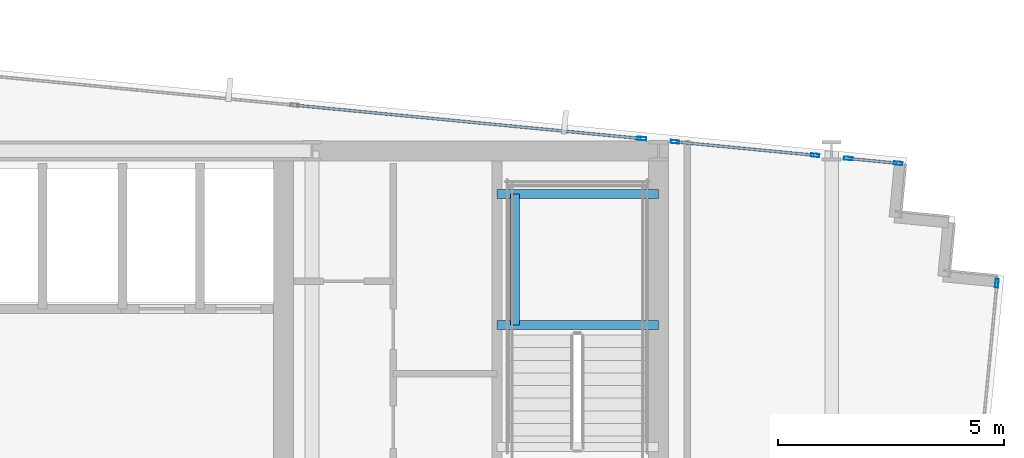
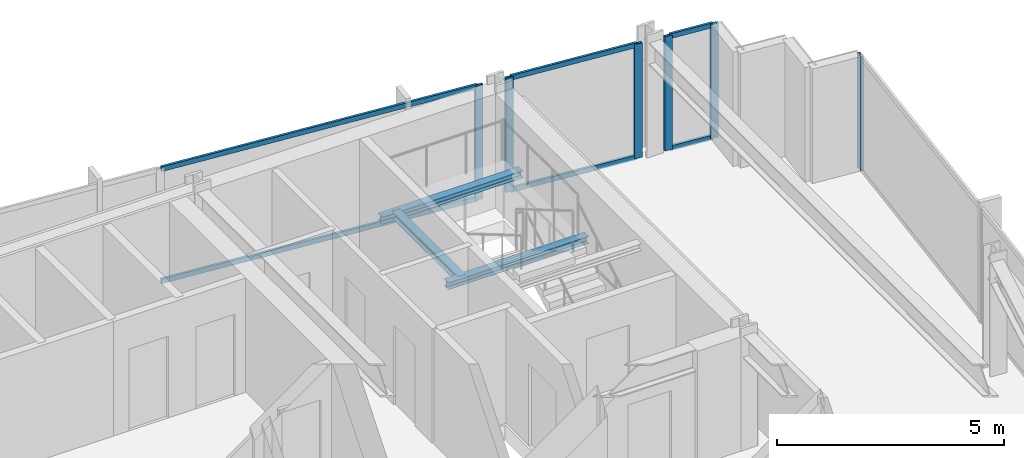
# One storey, part 27 of 37: 12 members, 3 beams, 4 elements without a shape of their own.
"""IFC4 building model written with IfcOpenShell, lengths in metres."""

from ifc_helpers import new_model, si_unit, direction, frame, origin, origin_2d, place, context, subcontext, project, spatial, hollow_rectangle, i_section, extrude, material, material_profile, profile_set, type_object, element, aggregate, save


model = new_model("IFC4")

# Units and contexts
model_context = context("Model", 3, precision=1e-05, world=origin(), true_north=direction((0.0, 1.0)))
body_context = subcontext(model_context, "Body", "Model", "MODEL_VIEW")
ifc_project = project(units=[si_unit("LENGTHUNIT", "METRE"), si_unit("AREAUNIT", "SQUARE_METRE"), si_unit("VOLUMEUNIT", "CUBIC_METRE"), si_unit("PLANEANGLEUNIT", "RADIAN"), si_unit("MASSUNIT", "GRAM", prefix="KILO")], contexts=[model_context])

# Site, building, storey
site_placement = place(None, origin())
site = spatial("IfcSite", under=ifc_project, at=site_placement, CompositionType="ELEMENT")
building_placement = place(site_placement, origin())
building = spatial("IfcBuilding", under=site, at=building_placement, Name="Yelkora Congress Tower", CompositionType="ELEMENT")
storey_placement = place(building_placement, frame((0.0, 0.0, 149.0)))
storey = spatial("IfcBuildingStorey", under=building, at=storey_placement, Name="L40", CompositionType="ELEMENT", Elevation=149.0)

# Beams
ifc_material_1 = material(Name="Steel S355J2", Category="steel")
ifc_material_profile_1 = material_profile(ifc_material_1, i_section(OverallWidth=0.199951171875, OverallDepth=0.18994140625, WebThickness=0.006591796875, FlangeThickness=0.010009765625, FilletRadius=0.01806640625, at=origin_2d()), Name="HEA 200")
ifc_profile_set_1 = profile_set([ifc_material_profile_1], Name="Steel S355J2")
beam_type = type_object("IfcBeamType", Name="BM-LAND-HEA200", PredefinedType="BEAM", material=ifc_profile_set_1)
for number, where, z_axis, x_axis, name in (
    (1, (50.179931640625, 42.340087890625, 1.334716796875), (1.0, 0.0, 0.0), (0.0, 1.0, 0.0), "ST-02 L40 Landing Header Beam 1S"),
    (2, (50.179931640625, 45.25, 1.334716796875), (1.0, 0.0, 0.0), (0.0, 1.0, 0.0), "ST-02 L40 Landing Header Beam 1N"),
):
    element("IfcBeam", number, at=place(storey_placement, frame(where, z_axis=z_axis, x_axis=x_axis)), inside=storey, type_object=beam_type, Name=name, PredefinedType="BEAM", context=body_context, shape_type="SweptSolid", body=[
        extrude(i_section(OverallWidth=0.199951171875, OverallDepth=0.18994140625, WebThickness=0.006591796875, FlangeThickness=0.010009765625, FilletRadius=0.01806640625, at=origin_2d()), origin(), (0.0, 0.0, 1.0), 3.580078125),
    ])
beam_placement = place(storey_placement, frame((50.580078125, 42.340087890625, 1.334716796875), z_axis=(0.0, 1.0, 0.0), x_axis=(-1.0, 0.0, 0.0)))
element("IfcBeam", 3, at=beam_placement, inside=storey, type_object=beam_type, Name="ST-02 L40 Landing Trimmer Beam 1M", PredefinedType="BEAM", context=body_context, shape_type="SweptSolid", body=[
    extrude(i_section(OverallWidth=0.199951171875, OverallDepth=0.18994140625, WebThickness=0.006591796875, FlangeThickness=0.010009765625, FilletRadius=0.01806640625, at=origin_2d()), origin(), (0.0, 0.0, 1.0), 2.909912109375),
])

# Curtain wall, member
ifc_material_2 = material(Name="Anodised aluminium and insulated glass", Category="aluminium")
curtain_wall_type = type_object("IfcCurtainWallType", Name="CW-SYS-B3", PredefinedType="NOTDEFINED", material=ifc_material_2)
curtain_wall_1_placement = place(storey_placement, origin())
curtain_wall_1 = element("IfcCurtainWall", 4, at=curtain_wall_1_placement, inside=storey, type_object=curtain_wall_type, Name="L40 Unitised Curtain Wall 10 (1)", PredefinedType="NOTDEFINED")
ifc_material_3 = material(Name="Anodised aluminium 6063-T6", Category="aluminium")
ifc_material_profile_2 = material_profile(ifc_material_3, hollow_rectangle(XDim=0.070068359375, YDim=0.18994140625, WallThickness=0.00390625, at=origin_2d()), Name="ALU 70x190x4")
ifc_profile_set_2 = profile_set([ifc_material_profile_2], Name="Anodised aluminium 6063-T6")
member_type_1 = type_object("IfcMemberType", Name="MEM-ML-B3", PredefinedType="MULLION", material=ifc_profile_set_2)
member_1_placement = place(storey_placement, frame((53.39306640625, 46.473388671875, 0.0), z_axis=(0.0, 0.0, 1.0), x_axis=(0.095844524462, 0.995396316615, 0.0)))
member_1 = element("IfcMember", 5, at=member_1_placement, type_object=member_type_1, Name="CW-B3 mullion 7", PredefinedType="MULLION", context=body_context, shape_type="SweptSolid", body=[
    extrude(hollow_rectangle(XDim=0.070068359375, YDim=0.18994140625, WallThickness=0.00390625, at=origin_2d()), origin(), (0.0, 0.0, 1.0), 3.080078125),
])

# Curtain wall, members
curtain_wall_2_placement = place(storey_placement, origin())
curtain_wall_2 = element("IfcCurtainWall", 6, at=curtain_wall_2_placement, inside=storey, type_object=curtain_wall_type, Name="L40 Unitised Curtain Wall 10 (2)", PredefinedType="NOTDEFINED")
member_2_placement = place(storey_placement, frame((54.126953125, 46.402587890625, 0.0), z_axis=(0.0, 0.0, 1.0), x_axis=(0.095841399764, 0.99539661748, 0.0)))
member_2 = element("IfcMember", 7, at=member_2_placement, type_object=member_type_1, Name="CW-B3 mullion 1", PredefinedType="MULLION", context=body_context, shape_type="SweptSolid", body=[
    extrude(hollow_rectangle(XDim=0.070068359375, YDim=0.18994140625, WallThickness=0.00390625, at=origin_2d()), origin(), (0.0, 0.0, 1.0), 3.080078125),
])
member_3_placement = place(storey_placement, frame((57.233154296875, 46.103515625, 0.0), z_axis=(0.0, 0.0, 1.0), x_axis=(0.095841399764, 0.99539661748, 0.0)))
member_3 = element("IfcMember", 8, at=member_3_placement, type_object=member_type_1, Name="CW-B3 mullion 2", PredefinedType="MULLION", context=body_context, shape_type="SweptSolid", body=[
    extrude(hollow_rectangle(XDim=0.070068359375, YDim=0.18994140625, WallThickness=0.00390625, at=origin_2d()), origin(), (0.0, 0.0, 1.0), 3.080078125),
])

curtain_wall_3_placement = place(storey_placement, origin())
curtain_wall_3 = element("IfcCurtainWall", 9, at=curtain_wall_3_placement, inside=storey, type_object=curtain_wall_type, Name="L40 Unitised Curtain Wall 10 (3)", PredefinedType="NOTDEFINED")
member_4_placement = place(storey_placement, frame((57.966796875, 46.032958984375, 0.0), z_axis=(0.0, 0.0, 1.0), x_axis=(0.095842967325, 0.995396466547, 0.0)))
member_4 = element("IfcMember", 10, at=member_4_placement, type_object=member_type_1, Name="CW-B3 mullion 1", PredefinedType="MULLION", context=body_context, shape_type="SweptSolid", body=[
    extrude(hollow_rectangle(XDim=0.070068359375, YDim=0.18994140625, WallThickness=0.00390625, at=origin_2d()), origin(), (0.0, 0.0, 1.0), 3.080078125),
])
member_5_placement = place(storey_placement, frame((59.073974609375, 45.92626953125, 0.0), z_axis=(0.0, 0.0, 1.0), x_axis=(0.095842967325, 0.995396466547, 0.0)))
member_5 = element("IfcMember", 11, at=member_5_placement, type_object=member_type_1, Name="CW-B3 mullion 2", PredefinedType="MULLION", context=body_context, shape_type="SweptSolid", body=[
    extrude(hollow_rectangle(XDim=0.070068359375, YDim=0.18994140625, WallThickness=0.00390625, at=origin_2d()), origin(), (0.0, 0.0, 1.0), 3.080078125),
])

# Curtain wall, member
curtain_wall_4_placement = place(storey_placement, origin())
curtain_wall_4 = element("IfcCurtainWall", 12, at=curtain_wall_4_placement, inside=storey, type_object=curtain_wall_type, Name="L40 Unitised Curtain Wall 15", PredefinedType="NOTDEFINED")
member_6_placement = place(storey_placement, frame((61.26416015625, 43.26904296875, 0.0), z_axis=(0.0, 0.0, 1.0), x_axis=(0.995396565076, -0.095841944023, 0.0)))
member_6 = element("IfcMember", 13, at=member_6_placement, type_object=member_type_1, Name="CW-B3 mullion 1", PredefinedType="MULLION", context=body_context, shape_type="SweptSolid", body=[
    extrude(hollow_rectangle(XDim=0.070068359375, YDim=0.18994140625, WallThickness=0.00390625, at=origin_2d()), origin(), (0.0, 0.0, 1.0), 3.080078125),
])
aggregate(curtain_wall_4, [member_6])

# Member
ifc_material_profile_3 = material_profile(ifc_material_3, hollow_rectangle(XDim=0.06005859375, YDim=0.1298828125, WallThickness=0.00390625, at=origin_2d()), Name="ALU 60x130x4")
ifc_profile_set_3 = profile_set([ifc_material_profile_3], Name="Anodised aluminium 6063-T6")
member_type_2 = type_object("IfcMemberType", Name="MEM-TR-B3", PredefinedType="USERDEFINED", material=ifc_profile_set_3)
member_7_placement = place(storey_placement, frame((45.729736328125, 47.211181640625, 0.030029296875), z_axis=(0.995398458908, -0.095822272999, 0.0), x_axis=(0.095822272999, 0.995398458908, 0.0)))
member_7 = element("IfcMember", 14, at=member_7_placement, type_object=member_type_2, Name="CW-B3 transom 6.1", ObjectType="TRANSOM", PredefinedType="USERDEFINED", context=body_context, shape_type="SweptSolid", body=[
    extrude(hollow_rectangle(XDim=0.06005859375, YDim=0.1298828125, WallThickness=0.00390625, at=origin_2d()), origin(), (0.0, 0.0, 1.0), 7.663818359375),
])

member_8_placement = place(storey_placement, frame((45.729736328125, 47.211181640625, 3.050048828125), z_axis=(0.995398458908, -0.095822272999, 0.0), x_axis=(0.095822272999, 0.995398458908, 0.0)))
member_8 = element("IfcMember", 15, at=member_8_placement, type_object=member_type_2, Name="CW-B3 transom 6.2", ObjectType="TRANSOM", PredefinedType="USERDEFINED", context=body_context, shape_type="SweptSolid", body=[
    extrude(hollow_rectangle(XDim=0.06005859375, YDim=0.1298828125, WallThickness=0.00390625, at=origin_2d()), origin(), (0.0, 0.0, 1.0), 7.663818359375),
])

aggregate(curtain_wall_1, [member_1, member_7, member_8])

member_9_placement = place(storey_placement, frame((54.16162109375, 46.399169921875, 0.030029296875), z_axis=(0.995401107835, -0.095794752056, 0.0), x_axis=(0.095794752056, 0.995401107835, 0.0)))
member_9 = element("IfcMember", 16, at=member_9_placement, type_object=member_type_2, Name="CW-B3 transom 1.1", ObjectType="TRANSOM", PredefinedType="USERDEFINED", context=body_context, shape_type="SweptSolid", body=[
    extrude(hollow_rectangle(XDim=0.06005859375, YDim=0.1298828125, WallThickness=0.00390625, at=origin_2d()), origin(), (0.0, 0.0, 1.0), 3.050537109375),
])

member_10_placement = place(storey_placement, frame((54.16162109375, 46.399169921875, 3.050048828125), z_axis=(0.995401107835, -0.095794752056, 0.0), x_axis=(0.095794752056, 0.995401107835, 0.0)))
member_10 = element("IfcMember", 17, at=member_10_placement, type_object=member_type_2, Name="CW-B3 transom 1.2", ObjectType="TRANSOM", PredefinedType="USERDEFINED", context=body_context, shape_type="SweptSolid", body=[
    extrude(hollow_rectangle(XDim=0.06005859375, YDim=0.1298828125, WallThickness=0.00390625, at=origin_2d()), origin(), (0.0, 0.0, 1.0), 3.050537109375),
])

aggregate(curtain_wall_2, [member_2, member_3, member_9, member_10])

member_11_placement = place(storey_placement, frame((58.001708984375, 46.029541015625, 0.030029296875), z_axis=(0.995399151813, -0.095815074863, 0.0), x_axis=(0.095815074863, 0.995399151813, 0.0)))
member_11 = element("IfcMember", 18, at=member_11_placement, type_object=member_type_2, Name="CW-B3 transom 1.1", ObjectType="TRANSOM", PredefinedType="USERDEFINED", context=body_context, shape_type="SweptSolid", body=[
    extrude(hollow_rectangle(XDim=0.06005859375, YDim=0.1298828125, WallThickness=0.00390625, at=origin_2d()), origin(), (0.0, 0.0, 1.0), 1.042236328125),
])

member_12_placement = place(storey_placement, frame((58.001708984375, 46.029541015625, 3.050048828125), z_axis=(0.995399151813, -0.095815074863, 0.0), x_axis=(0.095815074863, 0.995399151813, 0.0)))
member_12 = element("IfcMember", 19, at=member_12_placement, type_object=member_type_2, Name="CW-B3 transom 1.2", ObjectType="TRANSOM", PredefinedType="USERDEFINED", context=body_context, shape_type="SweptSolid", body=[
    extrude(hollow_rectangle(XDim=0.06005859375, YDim=0.1298828125, WallThickness=0.00390625, at=origin_2d()), origin(), (0.0, 0.0, 1.0), 1.042236328125),
])

aggregate(curtain_wall_3, [member_4, member_5, member_11, member_12])

save(model, "model.ifc")
